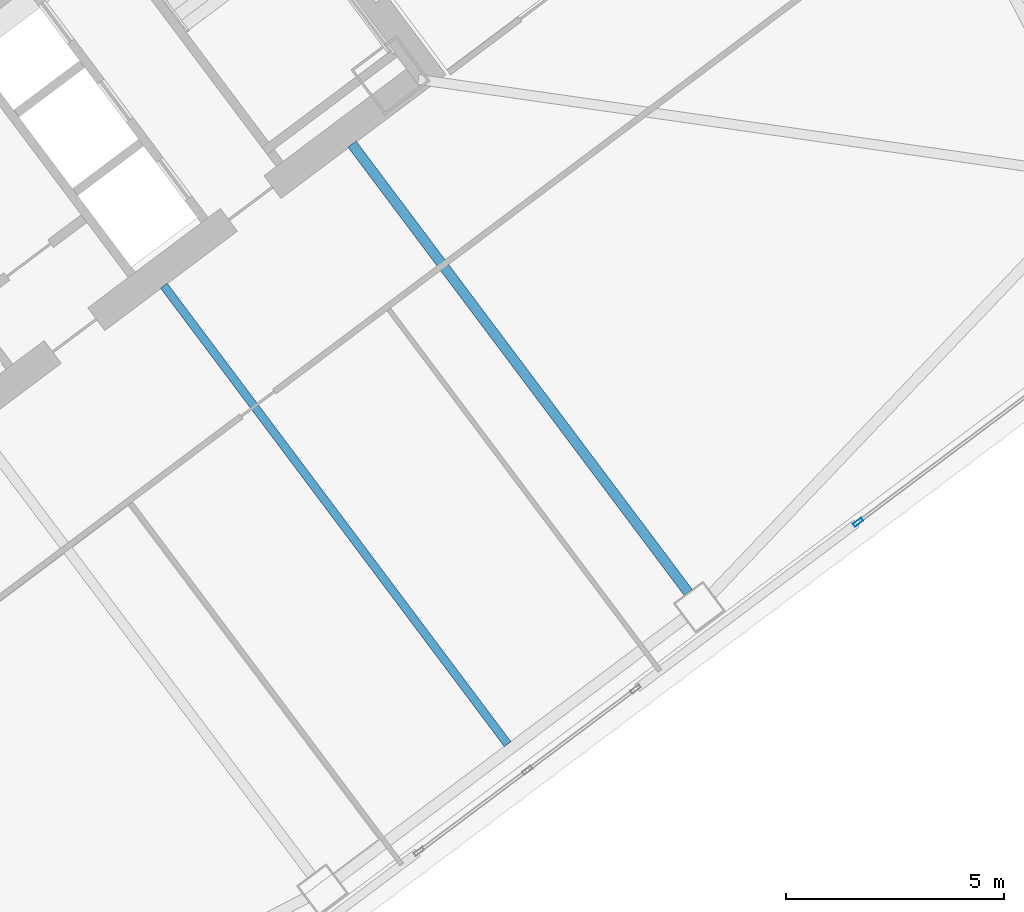
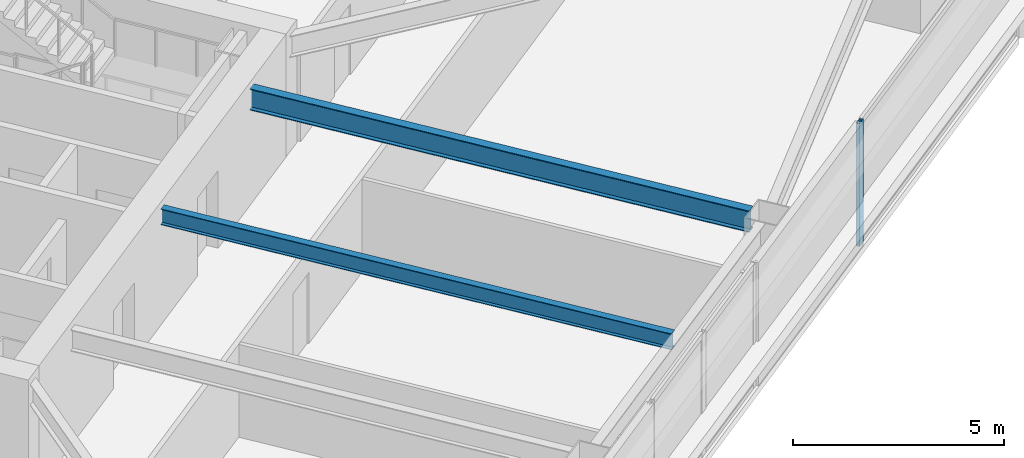
# One storey, part 22 of 45: 2 beams, 1 member, 1 element without a shape of its own.
"""IFC4 building model written with IfcOpenShell, lengths in metres."""

from ifc_helpers import new_model, si_unit, direction, frame, origin, origin_2d, place, context, subcontext, project, spatial, hollow_rectangle, i_section, extrude, material, material_profile, profile_set, type_object, element, aggregate, save


model = new_model("IFC4")

# Units and contexts
model_context = context("Model", 3, precision=1e-05, world=origin(), true_north=direction((0.0, 1.0)))
body_context = subcontext(model_context, "Body", "Model", "MODEL_VIEW")
ifc_project = project(units=[si_unit("LENGTHUNIT", "METRE"), si_unit("AREAUNIT", "SQUARE_METRE"), si_unit("VOLUMEUNIT", "CUBIC_METRE"), si_unit("PLANEANGLEUNIT", "RADIAN"), si_unit("MASSUNIT", "GRAM", prefix="KILO")], contexts=[model_context])

# Site, building, storey
site_placement = place(None, origin())
site = spatial("IfcSite", under=ifc_project, at=site_placement, CompositionType="ELEMENT")
building_placement = place(site_placement, origin())
building = spatial("IfcBuilding", under=site, at=building_placement, Name="Tashvorn Skyway Center", CompositionType="ELEMENT")
storey_placement = place(building_placement, frame((0.0, 0.0, 35.25)))
storey = spatial("IfcBuildingStorey", under=building, at=storey_placement, Name="L08", CompositionType="ELEMENT", Elevation=35.25)

# Beams
ifc_material_1 = material(Name="Steel ASTM A992 Grade 50", Category="steel")
ifc_material_profile_1 = material_profile(ifc_material_1, i_section(OverallWidth=0.22998046875, OverallDepth=0.616943359375, WebThickness=0.01318359375, FlangeThickness=0.022216796875, at=origin_2d()), Name="W24X94")
ifc_profile_set_1 = profile_set([ifc_material_profile_1], Name="Steel ASTM A992 Grade 50")
beam_type_1 = type_object("IfcBeamType", Name="BM-BEAM-W24X94", PredefinedType="BEAM", material=ifc_profile_set_1)
beam_1_placement = place(storey_placement, frame((130.697998046875, 18.736083984375, 3.04150390625), z_axis=(-0.599996960112, 0.800002279907, 0.0), x_axis=(-0.800002279907, -0.599996960112, 0.0)))
element("IfcBeam", 1, at=beam_1_placement, inside=storey, type_object=beam_type_1, Name="Tower 2 L08 Primary Floor Girder FC-S2", PredefinedType="BEAM", context=body_context, shape_type="SweptSolid", body=[
    extrude(i_section(OverallWidth=0.22998046875, OverallDepth=0.616943359375, WebThickness=0.01318359375, FlangeThickness=0.022216796875, at=origin_2d()), origin(), (0.0, 0.0, 1.0), 12.85009765625),
])
ifc_material_profile_2 = material_profile(ifc_material_1, i_section(OverallWidth=0.19091796875, OverallDepth=0.4599609375, WebThickness=0.010009765625, FlangeThickness=0.01611328125, at=origin_2d()), Name="W18X55")
ifc_profile_set_2 = profile_set([ifc_material_profile_2], Name="Steel ASTM A992 Grade 50")
beam_type_2 = type_object("IfcBeamType", Name="BM-JOIST-W18X55", PredefinedType="JOIST", material=ifc_profile_set_2)
beam_2_placement = place(storey_placement, frame((118.674072265625, 25.76806640625, 3.1201171875), z_axis=(0.600002972791, -0.799997770398, 0.0), x_axis=(0.799997770398, 0.600002972791, 0.0)))
element("IfcBeam", 2, at=beam_2_placement, inside=storey, type_object=beam_type_2, Name="Tower 2 L08 Secondary Composite Joist JS", PredefinedType="JOIST", context=body_context, shape_type="SweptSolid", body=[
    extrude(i_section(OverallWidth=0.19091796875, OverallDepth=0.4599609375, WebThickness=0.010009765625, FlangeThickness=0.01611328125, at=origin_2d()), origin(), (0.0, 0.0, 1.0), 13.139892578125),
])

# Curtain wall, member
ifc_material_2 = material(Name="Thermally broken bronze-anodized aluminium 6063-T6", Category="aluminium")
curtain_wall_type = type_object("IfcCurtainWallType", Name="CW-CW-Z1", PredefinedType="NOTDEFINED", material=ifc_material_2)
curtain_wall_placement = place(storey_placement, origin())
curtain_wall = element("IfcCurtainWall", 3, at=curtain_wall_placement, inside=storey, type_object=curtain_wall_type, Name="Tower 2 L08 South Unitised Curtain Wall Glazing Group 1", PredefinedType="NOTDEFINED")
ifc_material_profile_3 = material_profile(ifc_material_2, hollow_rectangle(XDim=0.0849609375, YDim=0.239990234375, WallThickness=0.0048828125, at=origin_2d()), Name="ALU-MULL-85x240")
ifc_profile_set_3 = profile_set([ifc_material_profile_3], Name="Thermally broken bronze-anodized aluminium 6063-T6")
member_type = type_object("IfcMemberType", Name="CWM-CW-Z1", PredefinedType="MULLION", material=ifc_profile_set_3)
member_placement = place(storey_placement, frame((134.593994140625, 20.345458984375, 0.0), z_axis=(0.0, 0.0, 1.0), x_axis=(0.600000000002, -0.799999999998, 0.0)))
member = element("IfcMember", 4, at=member_placement, type_object=member_type, Name="CW-Z1 mullion 2", PredefinedType="MULLION", context=body_context, shape_type="SweptSolid", body=[
    extrude(hollow_rectangle(XDim=0.0849609375, YDim=0.239990234375, WallThickness=0.0048828125, at=origin_2d()), origin(), (0.0, 0.0, 1.0), 3.550048828125),
])
aggregate(curtain_wall, [member])

save(model, "model.ifc")
